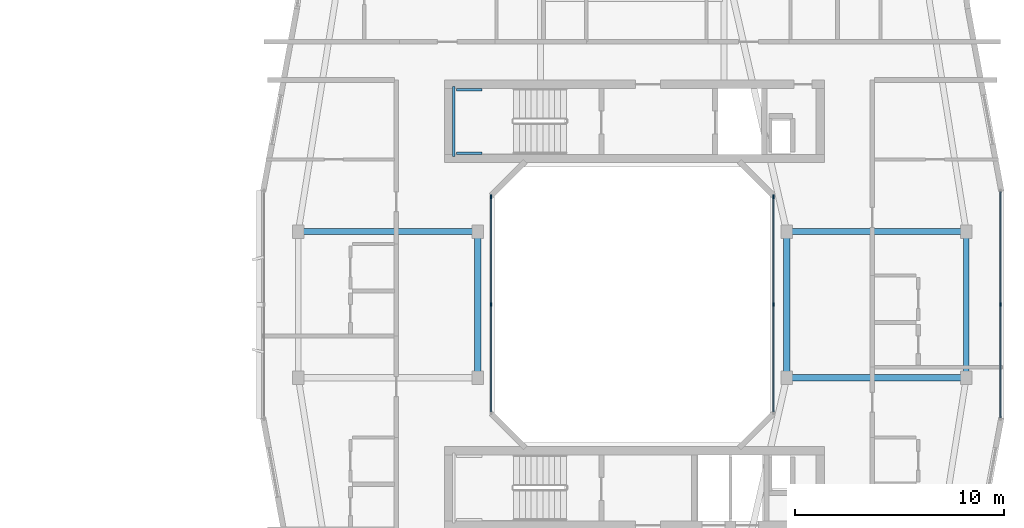
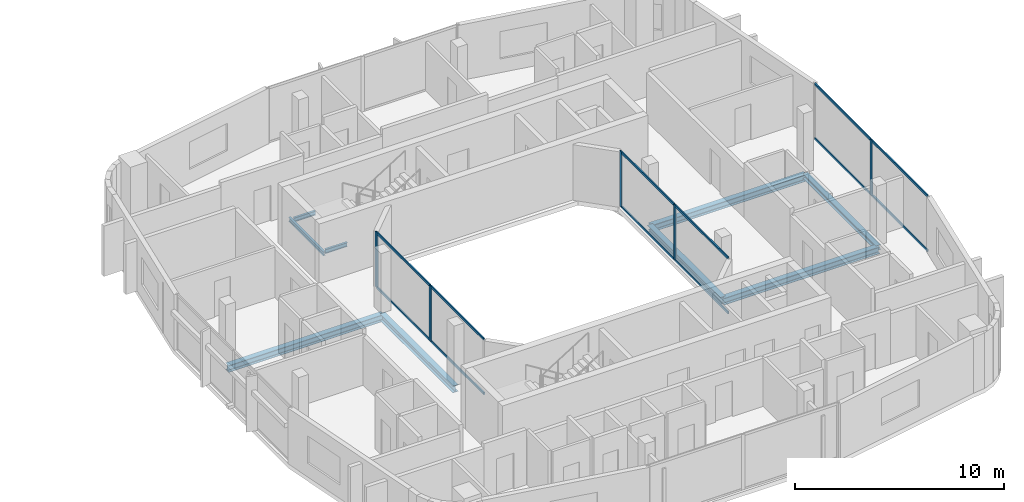
# One storey, part 9 of 26: 17 members, 9 beams, 3 elements without a shape of their own.
"""IFC4 building model written with IfcOpenShell, lengths in metres."""

from ifc_helpers import new_model, si_unit, derived_unit, direction, frame, origin, origin_2d, place, context, subcontext, project, spatial, rectangle, i_section, extrude, material, layer, layer_set, material_profile, profile_set, type_object, element, aggregate, save


model = new_model("IFC4")

# Units and contexts
model_context = context("Model", 3, precision=1e-05, world=origin(), true_north=direction((0.0, 1.0)))
body_context = subcontext(model_context, "Body", "Model", "MODEL_VIEW")
ifc_project = project(units=[si_unit("LENGTHUNIT", "METRE"), si_unit("AREAUNIT", "SQUARE_METRE"), si_unit("VOLUMEUNIT", "CUBIC_METRE"), si_unit("PLANEANGLEUNIT", "RADIAN"), si_unit("MASSUNIT", "GRAM", prefix="KILO"), derived_unit("THERMALTRANSMITTANCEUNIT", [(si_unit("POWERUNIT", "WATT"), 1), (si_unit("LENGTHUNIT", "METRE"), -2), (si_unit("THERMODYNAMICTEMPERATUREUNIT", "KELVIN"), -1)])], contexts=[model_context])

# Site, building, storey
site_placement = place(None, origin())
site = spatial("IfcSite", under=ifc_project, at=site_placement, CompositionType="ELEMENT")
building_placement = place(site_placement, origin())
building = spatial("IfcBuilding", under=site, at=building_placement, Name="Kivonza Crest Hotel", CompositionType="ELEMENT")
storey_placement = place(building_placement, frame((0.0, 0.0, 109.0)))
storey = spatial("IfcBuildingStorey", under=building, at=storey_placement, Name="L29", CompositionType="ELEMENT", Elevation=109.0)

# Beams
ifc_material_1 = material(Name="Steel S355", Category="steel")
ifc_material_profile_1 = material_profile(ifc_material_1, i_section(OverallWidth=0.280029296875, OverallDepth=0.280029296875, WebThickness=0.010498046875, FlangeThickness=0.01806640625, FilletRadius=0.02392578125, at=origin_2d()), Name="HEB 280")
ifc_profile_set_1 = profile_set([ifc_material_profile_1], Name="Steel S355")
beam_type_1 = type_object("IfcBeamType", Name="BM-HEB280", PredefinedType="SPANDREL", material=ifc_profile_set_1)
beam_1_placement = place(storey_placement, frame((93.0, 21.5, -0.389892578125), z_axis=(0.0, 1.0, 0.0), x_axis=(-1.0, 0.0, 0.0)))
element("IfcBeam", 1, at=beam_1_placement, inside=storey, type_object=beam_type_1, Name="Companion Tower T2 L29 perimeter spandrel E1-E2", PredefinedType="SPANDREL", context=body_context, shape_type="SweptSolid", body=[
    extrude(i_section(OverallWidth=0.280029296875, OverallDepth=0.280029296875, WebThickness=0.010498046875, FlangeThickness=0.01806640625, FilletRadius=0.02392578125, at=origin_2d()), origin(), (0.0, 0.0, 1.0), 7.0),
])
ifc_material_profile_2 = material_profile(ifc_material_1, i_section(OverallWidth=0.300048828125, OverallDepth=0.39990234375, WebThickness=0.013427734375, FlangeThickness=0.02392578125, FilletRadius=0.027099609375, at=origin_2d()), Name="HEB 400")
ifc_profile_set_2 = profile_set([ifc_material_profile_2], Name="Steel S355")
beam_type_2 = type_object("IfcBeamType", Name="BM-HEB400", PredefinedType="BEAM", material=ifc_profile_set_2)
beam_2_placement = place(storey_placement, frame((61.0, 28.5, -0.449951171875), z_axis=(1.0, 0.0, 0.0), x_axis=(0.0, 1.0, 0.0)))
element("IfcBeam", 2, at=beam_2_placement, inside=storey, type_object=beam_type_2, Name="Companion Tower T2 L29 girder W2-WL2", PredefinedType="BEAM", context=body_context, shape_type="SweptSolid", body=[
    extrude(i_section(OverallWidth=0.300048828125, OverallDepth=0.39990234375, WebThickness=0.013427734375, FlangeThickness=0.02392578125, FilletRadius=0.027099609375, at=origin_2d()), origin(), (0.0, 0.0, 1.0), 8.60009765625),
])
beam_3_placement = place(storey_placement, frame((69.60009765625, 21.5, -0.449951171875), z_axis=(0.0, 1.0, 0.0), x_axis=(-1.0, 0.0, 0.0)))
element("IfcBeam", 3, at=beam_3_placement, inside=storey, type_object=beam_type_2, Name="Companion Tower T2 L29 girder WL1-WL2", PredefinedType="BEAM", context=body_context, shape_type="SweptSolid", body=[
    extrude(i_section(OverallWidth=0.300048828125, OverallDepth=0.39990234375, WebThickness=0.013427734375, FlangeThickness=0.02392578125, FilletRadius=0.027099609375, at=origin_2d()), origin(), (0.0, 0.0, 1.0), 7.0),
])
for number, where, z_axis, x_axis, name in (
    (4, (84.39990234375, 21.5, -0.449951171875), (1.0, 0.0, 0.0), (0.0, 1.0, 0.0), "Companion Tower T2 L29 girder WR1-E1"),
    (5, (84.39990234375, 28.5, -0.449951171875), (1.0, 0.0, 0.0), (0.0, 1.0, 0.0), "Companion Tower T2 L29 girder WR2-E2"),
):
    element("IfcBeam", number, at=place(storey_placement, frame(where, z_axis=z_axis, x_axis=x_axis)), inside=storey, type_object=beam_type_2, Name=name, PredefinedType="BEAM", context=body_context, shape_type="SweptSolid", body=[
        extrude(i_section(OverallWidth=0.300048828125, OverallDepth=0.39990234375, WebThickness=0.013427734375, FlangeThickness=0.02392578125, FilletRadius=0.027099609375, at=origin_2d()), origin(), (0.0, 0.0, 1.0), 8.60009765625),
    ])
beam_4_placement = place(storey_placement, frame((84.39990234375, 21.5, -0.449951171875), z_axis=(0.0, 1.0, 0.0), x_axis=(-1.0, 0.0, 0.0)))
element("IfcBeam", 6, at=beam_4_placement, inside=storey, type_object=beam_type_2, Name="Companion Tower T2 L29 girder WR1-WR2", PredefinedType="BEAM", context=body_context, shape_type="SweptSolid", body=[
    extrude(i_section(OverallWidth=0.300048828125, OverallDepth=0.39990234375, WebThickness=0.013427734375, FlangeThickness=0.02392578125, FilletRadius=0.027099609375, at=origin_2d()), origin(), (0.0, 0.0, 1.0), 7.0),
])
ifc_material_profile_3 = material_profile(ifc_material_1, i_section(OverallWidth=0.1201171875, OverallDepth=0.239990234375, WebThickness=0.006103515625, FlangeThickness=0.009765625, FilletRadius=0.014892578125, at=origin_2d()), Name="IPE 240")
ifc_profile_set_3 = profile_set([ifc_material_profile_3], Name="Steel S355")
beam_type_3 = type_object("IfcBeamType", Name="BM-LLDG-240", PredefinedType="BEAM", material=ifc_profile_set_3)
beam_5_placement = place(storey_placement, frame((68.4599609375, 32.10009765625, 1.429931640625), z_axis=(0.0, 1.0, 0.0), x_axis=(-1.0, 0.0, 0.0)))
element("IfcBeam", 7, at=beam_5_placement, inside=storey, type_object=beam_type_3, Name="Stair ST-T2-N L29 West landing corbel", PredefinedType="BEAM", context=body_context, shape_type="SweptSolid", body=[
    extrude(i_section(OverallWidth=0.1201171875, OverallDepth=0.239990234375, WebThickness=0.006103515625, FlangeThickness=0.009765625, FilletRadius=0.014892578125, at=origin_2d()), origin(), (0.0, 0.0, 1.0), 3.35986328125),
])
for number, where, z_axis, x_axis, name in (
    (8, (68.590087890625, 32.260009765625, 1.429931640625), (1.0, 0.0, 0.0), (0.0, 1.0, 0.0), "Stair ST-T2-N L29 South landing corbel"),
    (9, (68.590087890625, 35.300048828125, 1.429931640625), (1.0, 0.0, 0.0), (0.0, 1.0, 0.0), "Stair ST-T2-N L29 North landing corbel"),
):
    element("IfcBeam", number, at=place(storey_placement, frame(where, z_axis=z_axis, x_axis=x_axis)), inside=storey, type_object=beam_type_3, Name=name, PredefinedType="BEAM", context=body_context, shape_type="SweptSolid", body=[
        extrude(i_section(OverallWidth=0.1201171875, OverallDepth=0.239990234375, WebThickness=0.006103515625, FlangeThickness=0.009765625, FilletRadius=0.014892578125, at=origin_2d()), origin(), (0.0, 0.0, 1.0), 1.2099609375),
    ])

# Curtain wall, member
ifc_material_2 = material(Name="Anodised bronze aluminium and low-E double glazing", Category="aluminium")
ifc_layer_1 = layer(ifc_material_2, 0.179931640625)
ifc_layer_set_1 = layer_set([ifc_layer_1], Name="Anodised bronze aluminium and low-E double glazing")
curtain_wall_type_1 = type_object("IfcCurtainWallType", Name="CW-SYS-4", PredefinedType="NOTDEFINED", material=ifc_layer_set_1)
curtain_wall_1_placement = place(storey_placement, origin())
curtain_wall_1 = element("IfcCurtainWall", 10, at=curtain_wall_1_placement, inside=storey, type_object=curtain_wall_type_1, Name="L29 unitised curtain wall CW-T2-L29-17", PredefinedType="NOTDEFINED")
ifc_material_3 = material(Name="Anodised bronze aluminium", Category="aluminium")
ifc_material_profile_4 = material_profile(ifc_material_3, rectangle(XDim=0.06494140625, YDim=0.179931640625, at=origin_2d()), Name="CW-M 65x180")
ifc_profile_set_4 = profile_set([ifc_material_profile_4], Name="Anodised bronze aluminium")
member_type_1 = type_object("IfcMemberType", Name="CW-MUL-65x180", PredefinedType="MULLION", material=ifc_profile_set_4)
member_1_placement = place(storey_placement, frame((94.639892578125, 25.0, 0.0), z_axis=(0.0, 0.0, 1.0), x_axis=(-1.0, 0.0, 0.0)))
member_1 = element("IfcMember", 11, at=member_1_placement, type_object=member_type_1, Name="CW-4 mullion 2", PredefinedType="MULLION", context=body_context, shape_type="SweptSolid", body=[
    extrude(rectangle(XDim=0.06494140625, YDim=0.179931640625, at=origin_2d()), origin(), (0.0, 0.0, 1.0), 3.25),
])

# Curtain wall, members
ifc_layer_2 = layer(ifc_material_2, 0.159912109375)
ifc_layer_set_2 = layer_set([ifc_layer_2], Name="Anodised bronze aluminium and low-E double glazing")
curtain_wall_type_2 = type_object("IfcCurtainWallType", Name="CW-SYS-5", PredefinedType="NOTDEFINED", material=ifc_layer_set_2)
curtain_wall_2_placement = place(storey_placement, origin())
curtain_wall_2 = element("IfcCurtainWall", 12, at=curtain_wall_2_placement, inside=storey, type_object=curtain_wall_type_2, Name="L29 unitised curtain wall CW-WELL-T2-L29-3", PredefinedType="NOTDEFINED")
member_2_placement = place(storey_placement, frame((83.760009765625, 25.0, 0.0), z_axis=(0.0, 0.0, 1.0), x_axis=(-1.0, 0.0, 0.0)))
member_2 = element("IfcMember", 13, at=member_2_placement, type_object=member_type_1, Name="CW-5 mullion 2", PredefinedType="MULLION", context=body_context, shape_type="SweptSolid", body=[
    extrude(rectangle(XDim=0.06494140625, YDim=0.179931640625, at=origin_2d()), origin(), (0.0, 0.0, 1.0), 3.25),
])
member_3_placement = place(storey_placement, frame((83.760009765625, 30.16748046875, 0.0), z_axis=(0.0, 0.0, 1.0), x_axis=(-1.0, 0.0, 0.0)))
member_3 = element("IfcMember", 14, at=member_3_placement, type_object=member_type_1, Name="CW-5 mullion 3", PredefinedType="MULLION", context=body_context, shape_type="SweptSolid", body=[
    extrude(rectangle(XDim=0.06494140625, YDim=0.179931640625, at=origin_2d()), origin(), (0.0, 0.0, 1.0), 3.25),
])

curtain_wall_3_placement = place(storey_placement, origin())
curtain_wall_3 = element("IfcCurtainWall", 15, at=curtain_wall_3_placement, inside=storey, type_object=curtain_wall_type_2, Name="L29 unitised curtain wall CW-WELL-T2-L29-7", PredefinedType="NOTDEFINED")
member_4_placement = place(storey_placement, frame((70.239990234375, 30.16748046875, 0.0), z_axis=(0.0, 0.0, 1.0), x_axis=(1.0, 0.0, 0.0)))
member_4 = element("IfcMember", 16, at=member_4_placement, type_object=member_type_1, Name="CW-5 mullion 1", PredefinedType="MULLION", context=body_context, shape_type="SweptSolid", body=[
    extrude(rectangle(XDim=0.06494140625, YDim=0.179931640625, at=origin_2d()), origin(), (0.0, 0.0, 1.0), 3.25),
])
member_5_placement = place(storey_placement, frame((70.239990234375, 25.0, 0.0), z_axis=(0.0, 0.0, 1.0), x_axis=(1.0, 0.0, 0.0)))
member_5 = element("IfcMember", 17, at=member_5_placement, type_object=member_type_1, Name="CW-5 mullion 2", PredefinedType="MULLION", context=body_context, shape_type="SweptSolid", body=[
    extrude(rectangle(XDim=0.06494140625, YDim=0.179931640625, at=origin_2d()), origin(), (0.0, 0.0, 1.0), 3.25),
])

# Member
ifc_material_profile_5 = material_profile(ifc_material_3, rectangle(XDim=0.06494140625, YDim=0.139892578125, at=origin_2d()), Name="CW-T 65x140")
ifc_profile_set_5 = profile_set([ifc_material_profile_5], Name="Anodised bronze aluminium")
member_type_2 = type_object("IfcMemberType", Name="CW-TRN-65x140", PredefinedType="USERDEFINED", material=ifc_profile_set_5)
member_6_placement = place(storey_placement, frame((94.639892578125, 19.5849609375, 0.032470703125), z_axis=(0.0, 1.0, 0.0), x_axis=(-1.0, 0.0, 0.0)))
member_6 = element("IfcMember", 18, at=member_6_placement, type_object=member_type_2, Name="CW-4 transom 1.1", ObjectType="TRANSOM", PredefinedType="USERDEFINED", context=body_context, shape_type="SweptSolid", body=[
    extrude(rectangle(XDim=0.06494140625, YDim=0.139892578125, at=origin_2d()), origin(), (0.0, 0.0, 1.0), 5.382568359375),
])

member_7_placement = place(storey_placement, frame((94.639892578125, 19.5849609375, 3.217529296875), z_axis=(0.0, 1.0, 0.0), x_axis=(-1.0, 0.0, 0.0)))
member_7 = element("IfcMember", 19, at=member_7_placement, type_object=member_type_2, Name="CW-4 transom 1.2", ObjectType="TRANSOM", PredefinedType="USERDEFINED", context=body_context, shape_type="SweptSolid", body=[
    extrude(rectangle(XDim=0.06494140625, YDim=0.139892578125, at=origin_2d()), origin(), (0.0, 0.0, 1.0), 5.382568359375),
])

member_8_placement = place(storey_placement, frame((94.639892578125, 25.032470703125, 0.032470703125), z_axis=(0.0, 1.0, 0.0), x_axis=(-1.0, 0.0, 0.0)))
member_8 = element("IfcMember", 20, at=member_8_placement, type_object=member_type_2, Name="CW-4 transom 2.1", ObjectType="TRANSOM", PredefinedType="USERDEFINED", context=body_context, shape_type="SweptSolid", body=[
    extrude(rectangle(XDim=0.06494140625, YDim=0.139892578125, at=origin_2d()), origin(), (0.0, 0.0, 1.0), 5.382568359375),
])

member_9_placement = place(storey_placement, frame((94.639892578125, 25.032470703125, 3.217529296875), z_axis=(0.0, 1.0, 0.0), x_axis=(-1.0, 0.0, 0.0)))
member_9 = element("IfcMember", 21, at=member_9_placement, type_object=member_type_2, Name="CW-4 transom 2.2", ObjectType="TRANSOM", PredefinedType="USERDEFINED", context=body_context, shape_type="SweptSolid", body=[
    extrude(rectangle(XDim=0.06494140625, YDim=0.139892578125, at=origin_2d()), origin(), (0.0, 0.0, 1.0), 5.382568359375),
])

aggregate(curtain_wall_1, [member_1, member_6, member_7, member_8, member_9])

member_10_placement = place(storey_placement, frame((83.760009765625, 19.864990234375, 0.032470703125), z_axis=(0.0, 1.0, 0.0), x_axis=(-1.0, 0.0, 0.0)))
member_10 = element("IfcMember", 22, at=member_10_placement, type_object=member_type_2, Name="CW-5 transom 1.1", ObjectType="TRANSOM", PredefinedType="USERDEFINED", context=body_context, shape_type="SweptSolid", body=[
    extrude(rectangle(XDim=0.06494140625, YDim=0.139892578125, at=origin_2d()), origin(), (0.0, 0.0, 1.0), 5.1025390625),
])

member_11_placement = place(storey_placement, frame((83.760009765625, 19.864990234375, 3.217529296875), z_axis=(0.0, 1.0, 0.0), x_axis=(-1.0, 0.0, 0.0)))
member_11 = element("IfcMember", 23, at=member_11_placement, type_object=member_type_2, Name="CW-5 transom 1.2", ObjectType="TRANSOM", PredefinedType="USERDEFINED", context=body_context, shape_type="SweptSolid", body=[
    extrude(rectangle(XDim=0.06494140625, YDim=0.139892578125, at=origin_2d()), origin(), (0.0, 0.0, 1.0), 5.1025390625),
])

member_12_placement = place(storey_placement, frame((83.760009765625, 25.032470703125, 0.032470703125), z_axis=(0.0, 1.0, 0.0), x_axis=(-1.0, 0.0, 0.0)))
member_12 = element("IfcMember", 24, at=member_12_placement, type_object=member_type_2, Name="CW-5 transom 2.1", ObjectType="TRANSOM", PredefinedType="USERDEFINED", context=body_context, shape_type="SweptSolid", body=[
    extrude(rectangle(XDim=0.06494140625, YDim=0.139892578125, at=origin_2d()), origin(), (0.0, 0.0, 1.0), 5.1025390625),
])

member_13_placement = place(storey_placement, frame((83.760009765625, 25.032470703125, 3.217529296875), z_axis=(0.0, 1.0, 0.0), x_axis=(-1.0, 0.0, 0.0)))
member_13 = element("IfcMember", 25, at=member_13_placement, type_object=member_type_2, Name="CW-5 transom 2.2", ObjectType="TRANSOM", PredefinedType="USERDEFINED", context=body_context, shape_type="SweptSolid", body=[
    extrude(rectangle(XDim=0.06494140625, YDim=0.139892578125, at=origin_2d()), origin(), (0.0, 0.0, 1.0), 5.1025390625),
])

aggregate(curtain_wall_2, [member_2, member_3, member_10, member_11, member_12, member_13])

member_14_placement = place(storey_placement, frame((70.239990234375, 30.135009765625, 0.032470703125), z_axis=(0.0, -1.0, 0.0), x_axis=(1.0, 0.0, 0.0)))
member_14 = element("IfcMember", 26, at=member_14_placement, type_object=member_type_2, Name="CW-5 transom 1.1", ObjectType="TRANSOM", PredefinedType="USERDEFINED", context=body_context, shape_type="SweptSolid", body=[
    extrude(rectangle(XDim=0.06494140625, YDim=0.139892578125, at=origin_2d()), origin(), (0.0, 0.0, 1.0), 5.1025390625),
])

member_15_placement = place(storey_placement, frame((70.239990234375, 30.135009765625, 3.217529296875), z_axis=(0.0, -1.0, 0.0), x_axis=(1.0, 0.0, 0.0)))
member_15 = element("IfcMember", 27, at=member_15_placement, type_object=member_type_2, Name="CW-5 transom 1.2", ObjectType="TRANSOM", PredefinedType="USERDEFINED", context=body_context, shape_type="SweptSolid", body=[
    extrude(rectangle(XDim=0.06494140625, YDim=0.139892578125, at=origin_2d()), origin(), (0.0, 0.0, 1.0), 5.1025390625),
])

member_16_placement = place(storey_placement, frame((70.239990234375, 24.967529296875, 0.032470703125), z_axis=(0.0, -1.0, 0.0), x_axis=(1.0, 0.0, 0.0)))
member_16 = element("IfcMember", 28, at=member_16_placement, type_object=member_type_2, Name="CW-5 transom 2.1", ObjectType="TRANSOM", PredefinedType="USERDEFINED", context=body_context, shape_type="SweptSolid", body=[
    extrude(rectangle(XDim=0.06494140625, YDim=0.139892578125, at=origin_2d()), origin(), (0.0, 0.0, 1.0), 5.1025390625),
])

member_17_placement = place(storey_placement, frame((70.239990234375, 24.967529296875, 3.217529296875), z_axis=(0.0, -1.0, 0.0), x_axis=(1.0, 0.0, 0.0)))
member_17 = element("IfcMember", 29, at=member_17_placement, type_object=member_type_2, Name="CW-5 transom 2.2", ObjectType="TRANSOM", PredefinedType="USERDEFINED", context=body_context, shape_type="SweptSolid", body=[
    extrude(rectangle(XDim=0.06494140625, YDim=0.139892578125, at=origin_2d()), origin(), (0.0, 0.0, 1.0), 5.1025390625),
])

aggregate(curtain_wall_3, [member_4, member_5, member_14, member_15, member_16, member_17])

save(model, "model.ifc")
